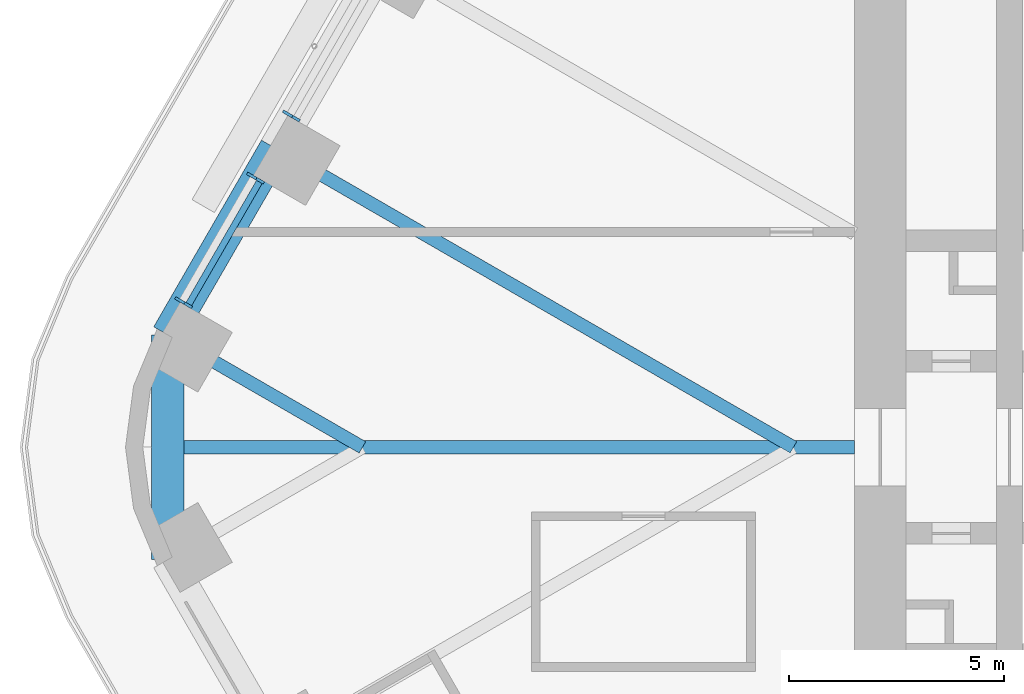
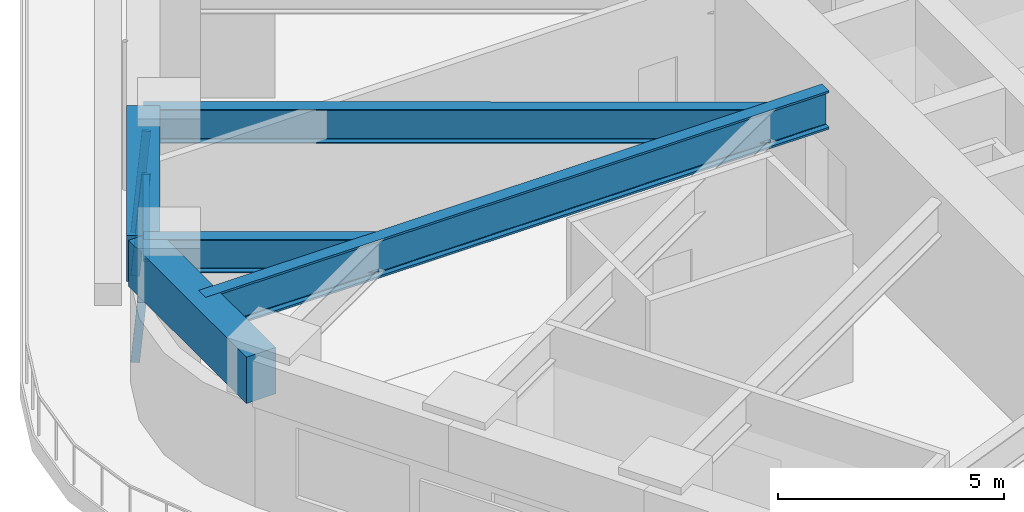
# One storey, part 6 of 24: 5 beams, 4 members, 2 elements without a shape of their own.
"""IFC4 building model written with IfcOpenShell, lengths in metres."""

from ifc_helpers import new_model, si_unit, direction, frame, origin, origin_2d, place, context, subcontext, project, spatial, rectangle, i_section, extrude, material, material_profile, profile_set, type_object, element, aggregate, save


model = new_model("IFC4")

# Units and contexts
model_context = context("Model", 3, precision=1e-05, world=origin(), true_north=direction((0.0, 1.0)))
body_context = subcontext(model_context, "Body", "Model", "MODEL_VIEW")
ifc_project = project(units=[si_unit("LENGTHUNIT", "METRE"), si_unit("AREAUNIT", "SQUARE_METRE"), si_unit("VOLUMEUNIT", "CUBIC_METRE"), si_unit("PLANEANGLEUNIT", "RADIAN"), si_unit("MASSUNIT", "GRAM", prefix="KILO")], contexts=[model_context])

# Site, building, storey
site_placement = place(None, origin())
site = spatial("IfcSite", under=ifc_project, at=site_placement, CompositionType="ELEMENT")
building_placement = place(site_placement, origin())
building = spatial("IfcBuilding", under=site, at=building_placement, Name="Tarfa Lantern Tower", CompositionType="ELEMENT")
storey_placement = place(building_placement, frame((0.0, 0.0, 165.699951171875)))
storey = spatial("IfcBuildingStorey", under=building, at=storey_placement, Name="L37", CompositionType="ELEMENT", Elevation=165.699951171875)

# Curtain wall, member
ifc_material_1 = material(Name="Aluminium framed curtain wall", Category="aluminium")
curtain_wall_type = type_object("IfcCurtainWallType", Name="CW2 CANTED GLAZING MID ZONE 2750", PredefinedType="USERDEFINED", material=ifc_material_1)
curtain_wall_1_placement = place(storey_placement, origin())
curtain_wall_1 = element("IfcCurtainWall", 1, at=curtain_wall_1_placement, inside=storey, type_object=curtain_wall_type, Name="CW2 NWB L37", ObjectType="CURTAIN WALL", PredefinedType="USERDEFINED")
ifc_material_2 = material(Name="Aluminium mullion", Category="aluminium")
ifc_material_profile_1 = material_profile(ifc_material_2, rectangle(XDim=0.06494140625, YDim=0.199951171875, at=origin_2d()), Name="AL MULLION 65x200")
ifc_profile_set_1 = profile_set([ifc_material_profile_1], Name="Aluminium mullion")
member_type_1 = type_object("IfcMemberType", Name="CWM1 MULLION 65x200", PredefinedType="MULLION", material=ifc_profile_set_1)
member_1_placement = place(storey_placement, frame((-31.78076171875, 7.75439453125, 0.0), z_axis=(0.078422950161, -0.045267813396, 0.995891894715), x_axis=(0.499919672301, 0.866071776036, 0.0)))
member_1 = element("IfcMember", 2, at=member_1_placement, type_object=member_type_1, Name="CW2 mullion 2", PredefinedType="MULLION", context=body_context, shape_type="SweptSolid", body=[
    extrude(rectangle(XDim=0.06494140625, YDim=0.199951171875, at=origin_2d()), origin(), (0.0, 0.0, 1.0), 2.76123046875),
])
aggregate(curtain_wall_1, [member_1])

# Curtain wall, members
curtain_wall_2_placement = place(storey_placement, origin())
curtain_wall_2 = element("IfcCurtainWall", 3, at=curtain_wall_2_placement, inside=storey, type_object=curtain_wall_type, Name="CW2 NWB L37", ObjectType="CURTAIN WALL", PredefinedType="USERDEFINED")
member_2_placement = place(storey_placement, frame((-32.613037109375, 6.312255859375, 0.0), z_axis=(0.078335079308, -0.045268127094, 0.995898796073), x_axis=(0.500342721131, 0.865827443207, 0.0)))
member_2 = element("IfcMember", 4, at=member_2_placement, type_object=member_type_1, Name="CW2 mullion 1", PredefinedType="MULLION", context=body_context, shape_type="SweptSolid", body=[
    extrude(rectangle(XDim=0.06494140625, YDim=0.199951171875, at=origin_2d()), origin(), (0.0, 0.0, 1.0), 2.76123046875),
])
member_3_placement = place(storey_placement, frame((-34.282470703125, 3.4208984375, 0.0), z_axis=(0.078422950161, -0.045267813396, 0.995891894715), x_axis=(0.499919672301, 0.866071776036, 0.0)))
member_3 = element("IfcMember", 5, at=member_3_placement, type_object=member_type_1, Name="CW2 mullion 2", PredefinedType="MULLION", context=body_context, shape_type="SweptSolid", body=[
    extrude(rectangle(XDim=0.06494140625, YDim=0.199951171875, at=origin_2d()), origin(), (0.0, 0.0, 1.0), 2.76123046875),
])
ifc_material_3 = material(Name="Aluminium transom", Category="aluminium")
ifc_material_profile_2 = material_profile(ifc_material_3, rectangle(XDim=0.14990234375, YDim=0.06494140625, at=origin_2d()), Name="AL TRANSOM 150x65")
ifc_profile_set_2 = profile_set([ifc_material_profile_2], Name="Aluminium transom")
member_type_2 = type_object("IfcMemberType", Name="CWT1 TRANSOM 150x65", PredefinedType="USERDEFINED", material=ifc_profile_set_2)
member_4_placement = place(storey_placement, frame((-32.41552734375, 6.16064453125, 2.717529296875), z_axis=(-0.499989298045, -0.866031582473, 0.0), x_axis=(0.866031582473, -0.499989298045, 0.0)))
member_4 = element("IfcMember", 6, at=member_4_placement, type_object=member_type_2, Name="CW2 transom 1.2", ObjectType="TRANSOM", PredefinedType="USERDEFINED", context=body_context, shape_type="SweptSolid", body=[
    extrude(rectangle(XDim=0.14990234375, YDim=0.06494140625, at=origin_2d()), origin(), (0.0, 0.0, 1.0), 3.2734375),
])
aggregate(curtain_wall_2, [member_2, member_3, member_4])

# Beams
ifc_material_4 = material(Name="Concrete C80/95", Category="concrete")
ifc_material_profile_3 = material_profile(ifc_material_4, rectangle(XDim=0.75, YDim=1.25, at=origin_2d()), Name="RC 750x1250")
ifc_profile_set_3 = profile_set([ifc_material_profile_3], Name="Concrete C80/95")
beam_type_1 = type_object("IfcBeamType", Name="EB2 RC 750x1250", PredefinedType="SPANDREL", material=ifc_profile_set_3)
beam_1_placement = place(storey_placement, frame((-32.041015625, 6.943359375, 3.375), z_axis=(-0.500022324899, -0.866012514114, 0.0), x_axis=(0.866012514114, -0.500022324899, 0.0)))
element("IfcBeam", 7, at=beam_1_placement, inside=storey, type_object=beam_type_1, Name="Edge beam NW5", PredefinedType="SPANDREL", context=body_context, shape_type="SweptSolid", body=[
    extrude(rectangle(XDim=0.75, YDim=1.25, at=origin_2d()), origin(), (0.0, 0.0, 1.0), 5.003662109375),
])
beam_2_placement = place(storey_placement, frame((-34.54296875, 2.610107421875, 3.375), z_axis=(0.0, -1.0, 0.0), x_axis=(1.0, 0.0, 0.0)))
element("IfcBeam", 8, at=beam_2_placement, inside=storey, type_object=beam_type_1, Name="Edge beam NW6", PredefinedType="SPANDREL", context=body_context, shape_type="SweptSolid", body=[
    extrude(rectangle(XDim=0.75, YDim=1.25, at=origin_2d()), origin(), (0.0, 0.0, 1.0), 5.22021484375),
])
ifc_material_5 = material(Name="Steel S460M", Category="steel")
ifc_material_profile_4 = material_profile(ifc_material_5, i_section(OverallWidth=0.30859375, OverallDepth=1.036376953125, WebThickness=0.030029296875, FlangeThickness=0.05419921875, FilletRadius=0.030029296875, at=origin_2d()), Name="UB1016x305x487")
ifc_profile_set_4 = profile_set([ifc_material_profile_4], Name="Steel S460M")
beam_type_2 = type_object("IfcBeamType", Name="UB1016x305x487", PredefinedType="BEAM", material=ifc_profile_set_4)
beam_3_placement = place(storey_placement, frame((-18.60009765625, 0.0, 3.48193359375), z_axis=(-1.0, 0.0, 0.0), x_axis=(0.0, -1.0, 0.0)))
element("IfcBeam", 9, at=beam_3_placement, inside=storey, type_object=beam_type_2, Name="Hip girder W", PredefinedType="BEAM", context=body_context, shape_type="SweptSolid", body=[
    extrude(i_section(OverallWidth=0.30859375, OverallDepth=1.036376953125, WebThickness=0.030029296875, FlangeThickness=0.05419921875, FilletRadius=0.030029296875, at=origin_2d()), origin(), (0.0, 0.0, 1.0), 15.94287109375),
])
ifc_material_profile_5 = material_profile(ifc_material_5, i_section(OverallWidth=0.305419921875, OverallDepth=0.91845703125, WebThickness=0.017333984375, FlangeThickness=0.02783203125, FilletRadius=0.01904296875, at=origin_2d()), Name="UB914x305x253")
ifc_profile_set_5 = profile_set([ifc_material_profile_5], Name="Steel S460M")
beam_type_3 = type_object("IfcBeamType", Name="UB914x305x253", PredefinedType="BEAM", material=ifc_profile_set_5)
beam_4_placement = place(storey_placement, frame((-32.041015625, 6.943359375, 3.540771484375), z_axis=(0.866023096411, -0.500003996466, 0.0), x_axis=(0.500003996466, 0.866023096411, 0.0)))
element("IfcBeam", 10, at=beam_4_placement, inside=storey, type_object=beam_type_3, Name="Floor beam NW5", PredefinedType="BEAM", context=body_context, shape_type="SweptSolid", body=[
    extrude(i_section(OverallWidth=0.305419921875, OverallDepth=0.91845703125, WebThickness=0.017333984375, FlangeThickness=0.02783203125, FilletRadius=0.01904296875, at=origin_2d()), origin(), (0.0, 0.0, 1.0), 13.88671875),
])
beam_5_placement = place(storey_placement, frame((-34.54296875, 2.610107421875, 3.540771484375), z_axis=(0.866021250859, -0.500007193008, 0.0), x_axis=(0.500007193008, 0.866021250859, 0.0)))
element("IfcBeam", 11, at=beam_5_placement, inside=storey, type_object=beam_type_3, Name="Floor beam NW6", PredefinedType="BEAM", context=body_context, shape_type="SweptSolid", body=[
    extrude(i_section(OverallWidth=0.305419921875, OverallDepth=0.91845703125, WebThickness=0.017333984375, FlangeThickness=0.02783203125, FilletRadius=0.01904296875, at=origin_2d()), origin(), (0.0, 0.0, 1.0), 5.22021484375),
])

save(model, "model.ifc")
